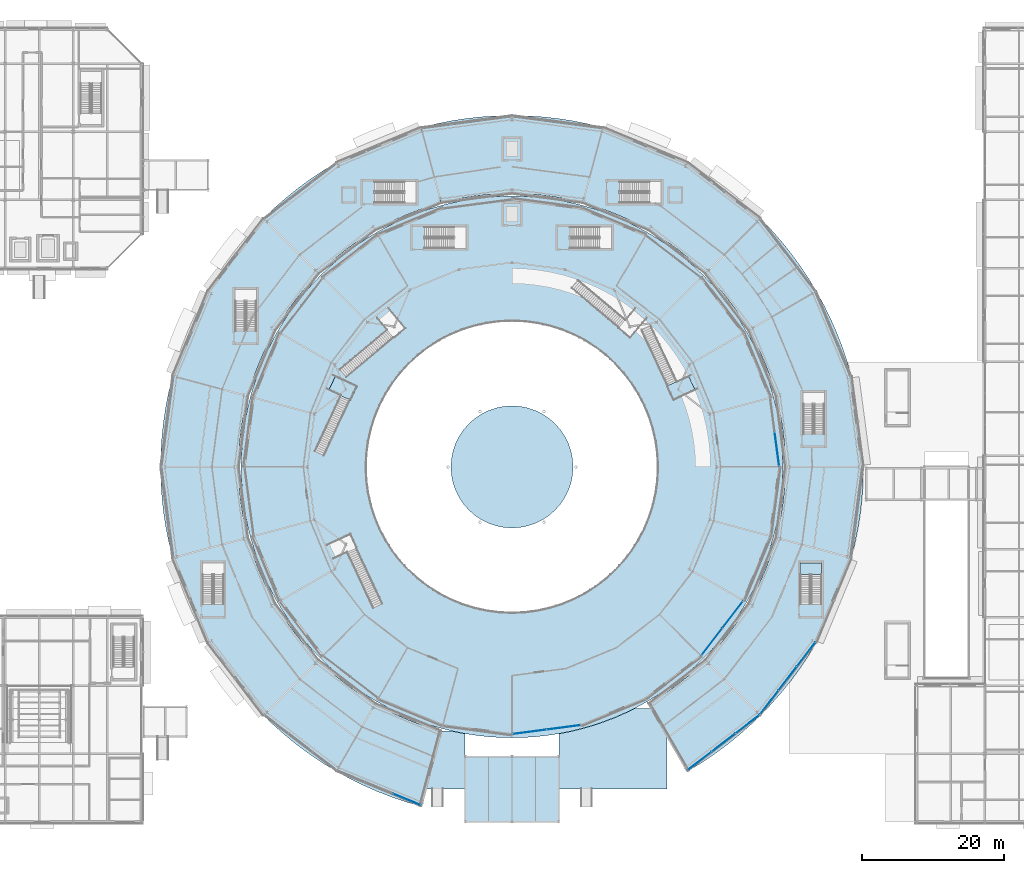
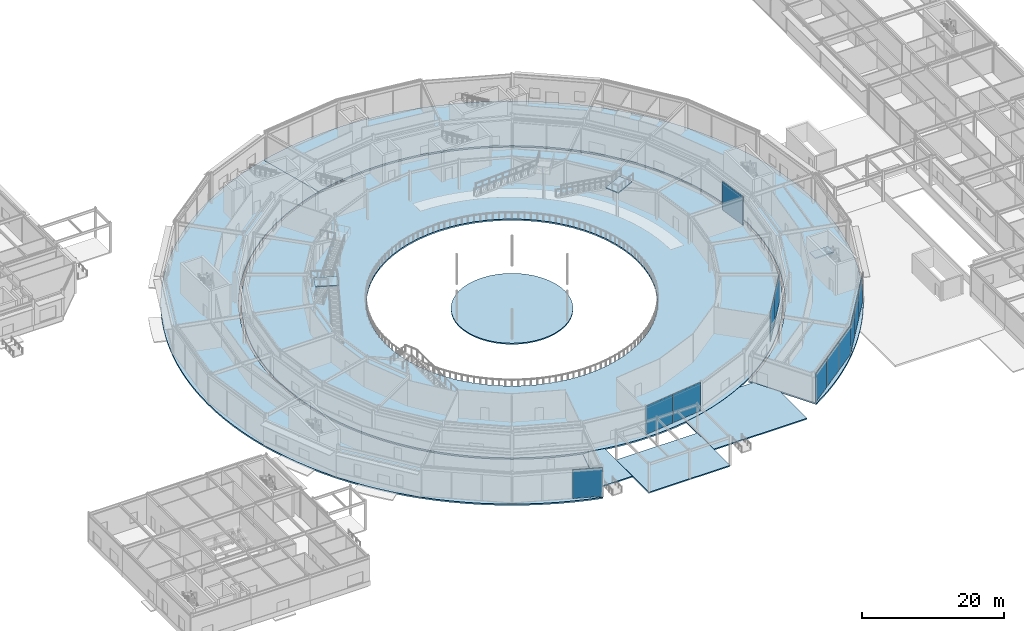
# One storey, part 112 of 168: 12 plates, 10 slabs, 9 elements without a shape of their own.
"""IFC4 building model written with IfcOpenShell, lengths in metres."""

from ifc_helpers import new_model, si_unit, direction, frame, origin, origin_2d, place, context, subcontext, project, spatial, polyline, rectangle, outline, extrude, material, layer, layer_set, type_object, element, aggregate, save


model = new_model("IFC4")

# Units and contexts
model_context = context("Model", 3, precision=1e-05, world=origin(), true_north=direction((0.0, 1.0)))
body_context = subcontext(model_context, "Body", "Model", "MODEL_VIEW")
ifc_project = project(units=[si_unit("LENGTHUNIT", "METRE"), si_unit("AREAUNIT", "SQUARE_METRE"), si_unit("VOLUMEUNIT", "CUBIC_METRE"), si_unit("PLANEANGLEUNIT", "RADIAN"), si_unit("MASSUNIT", "GRAM", prefix="KILO")], contexts=[model_context])

# Site, building, storey
site_placement = place(None, origin())
site = spatial("IfcSite", under=ifc_project, at=site_placement, CompositionType="ELEMENT")
building_placement = place(site_placement, origin())
building = spatial("IfcBuilding", under=site, at=building_placement, Name="Almandine Court Research Institute", CompositionType="ELEMENT")
storey_placement = place(building_placement, origin())
storey = spatial("IfcBuildingStorey", under=building, at=storey_placement, Name="L00", CompositionType="ELEMENT", Elevation=0.0)

# Curtain wall, plate
ifc_material_1 = material(Name="Unitised Curtain Wall Framing and Solar Glazing", Category="glass")
curtain_wall_type_1 = type_object("IfcCurtainWallType", Name="CW-CWG-18", PredefinedType="USERDEFINED", material=ifc_material_1)
curtain_wall_1_placement = place(storey_placement, origin())
curtain_wall_1 = element("IfcCurtainWall", 1, at=curtain_wall_1_placement, inside=storey, type_object=curtain_wall_type_1, Name="L00 Stacked-Ring Drum Outer Unitised Glazing 16", ObjectType="UNITISED GLAZING", PredefinedType="USERDEFINED")
ifc_material_2 = material(Name="Double-Glazed Low-E Argon Insulated Glass", Category="glass")
ifc_layer_1 = layer(ifc_material_2, 0.028076171875)
ifc_layer_set_1 = layer_set([ifc_layer_1], Name="Double-Glazed Low-E Argon Insulated Glass")
plate_type_1 = type_object("IfcPlateType", Name="CWPnl-GLZ-28", PredefinedType="CURTAIN_PANEL", material=ifc_layer_set_1)
plate_1_placement = place(storey_placement, frame((72.22412109375, 9.150146484375, 0.06005859375), z_axis=(0.0, 0.0, 1.0), x_axis=(-0.923888124321, 0.382662689242, 0.0)))
plate_1 = element("IfcPlate", 2, at=plate_1_placement, type_object=plate_type_1, Name="CWG-18 panel 1.1", PredefinedType="CURTAIN_PANEL", context=body_context, shape_type="SweptSolid", body=[
    extrude(rectangle(XDim=4.20263671875, YDim=0.028076171875, at=origin_2d()), origin(), (0.0, 0.0, 1.0), 4.949951171875),
])
aggregate(curtain_wall_1, [plate_1])

curtain_wall_type_2 = type_object("IfcCurtainWallType", Name="CW-CWG-23", PredefinedType="USERDEFINED", material=ifc_material_1)
curtain_wall_2_placement = place(storey_placement, origin())
curtain_wall_2 = element("IfcCurtainWall", 3, at=curtain_wall_2_placement, inside=storey, type_object=curtain_wall_type_2, Name="L00 Interaction Atrium Perimeter Curtain Wall 00", ObjectType="UNITISED GLAZING", PredefinedType="USERDEFINED")
plate_2_placement = place(storey_placement, frame((124.32763671875, 58.453125, 0.06005859375), z_axis=(0.0, 0.0, 1.0), x_axis=(0.130536164028, -0.991443548509, 0.0)))
plate_2 = element("IfcPlate", 4, at=plate_2_placement, type_object=plate_type_1, Name="CWG-23 panel 2.1", PredefinedType="CURTAIN_PANEL", context=body_context, shape_type="SweptSolid", body=[
    extrude(rectangle(XDim=4.820556640625, YDim=0.028076171875, at=origin_2d()), origin(), (0.0, 0.0, 1.0), 4.949951171875),
])
aggregate(curtain_wall_2, [plate_2])

# Curtain wall, plates
curtain_wall_3_placement = place(storey_placement, origin())
curtain_wall_3 = element("IfcCurtainWall", 5, at=curtain_wall_3_placement, inside=storey, type_object=curtain_wall_type_2, Name="L00 Interaction Atrium Perimeter Curtain Wall 18", ObjectType="UNITISED GLAZING", PredefinedType="USERDEFINED")
plate_3_placement = place(storey_placement, frame((94.2919921875, 19.3095703125, 0.06005859375), z_axis=(0.0, 0.0, 1.0), x_axis=(-0.991443548509, -0.130536164028, 0.0)))
plate_3 = element("IfcPlate", 6, at=plate_3_placement, type_object=plate_type_1, Name="CWG-23 panel 1.1", PredefinedType="CURTAIN_PANEL", context=body_context, shape_type="SweptSolid", body=[
    extrude(rectangle(XDim=4.820556640625, YDim=0.028076171875, at=origin_2d()), origin(), (0.0, 0.0, 1.0), 4.949951171875),
])
plate_4_placement = place(storey_placement, frame((89.453125, 18.67236328125, 0.06005859375), z_axis=(0.0, 0.0, 1.0), x_axis=(-0.991443548509, -0.130536164028, 0.0)))
plate_4 = element("IfcPlate", 7, at=plate_4_placement, type_object=plate_type_1, Name="CWG-23 panel 2.1", PredefinedType="CURTAIN_PANEL", context=body_context, shape_type="SweptSolid", body=[
    extrude(rectangle(XDim=4.820556640625, YDim=0.028076171875, at=origin_2d()), origin(), (0.0, 0.0, 1.0), 4.949951171875),
])
aggregate(curtain_wall_3, [plate_3, plate_4])

curtain_wall_4_placement = place(storey_placement, origin())
curtain_wall_4 = element("IfcCurtainWall", 8, at=curtain_wall_4_placement, inside=storey, type_object=curtain_wall_type_2, Name="L00 Interaction Atrium Perimeter Curtain Wall 21", ObjectType="UNITISED GLAZING", PredefinedType="USERDEFINED")
plate_5_placement = place(storey_placement, frame((118.10009765625, 35.212158203125, 0.06005859375), z_axis=(0.0, 0.0, 1.0), x_axis=(-0.608760667029, -0.793353924979, 0.0)))
plate_5 = element("IfcPlate", 9, at=plate_5_placement, type_object=plate_type_1, Name="CWG-23 panel 1.1", PredefinedType="CURTAIN_PANEL", context=body_context, shape_type="SweptSolid", body=[
    extrude(rectangle(XDim=4.82080078125, YDim=0.028076171875, at=origin_2d()), origin(), (0.0, 0.0, 1.0), 4.949951171875),
])
plate_6_placement = place(storey_placement, frame((115.12890625, 31.33984375, 0.06005859375), z_axis=(0.0, 0.0, 1.0), x_axis=(-0.608760667029, -0.793353924979, 0.0)))
plate_6 = element("IfcPlate", 10, at=plate_6_placement, type_object=plate_type_1, Name="CWG-23 panel 2.1", PredefinedType="CURTAIN_PANEL", context=body_context, shape_type="SweptSolid", body=[
    extrude(rectangle(XDim=4.82080078125, YDim=0.028076171875, at=origin_2d()), origin(), (0.0, 0.0, 1.0), 4.949951171875),
])
aggregate(curtain_wall_4, [plate_5, plate_6])

curtain_wall_type_3 = type_object("IfcCurtainWallType", Name="CW-CWJ-17", PredefinedType="USERDEFINED", material=ifc_material_1)
curtain_wall_5_placement = place(storey_placement, origin())
curtain_wall_5 = element("IfcCurtainWall", 11, at=curtain_wall_5_placement, inside=storey, type_object=curtain_wall_type_3, Name="L00 Stacked-Ring Drum Outer Solar Jali Screen 20", ObjectType="SOLAR JALI SCREEN", PredefinedType="USERDEFINED")
ifc_material_3 = material(Name="Perforated Ochre Terracotta Jali Solar Cassette", Category="masonry")
ifc_layer_2 = layer(ifc_material_3, 0.035888671875)
ifc_layer_set_2 = layer_set([ifc_layer_2], Name="Perforated Ochre Terracotta Jali Solar Cassette")
plate_type_2 = type_object("IfcPlateType", Name="CWPnl-JALI-36", PredefinedType="CURTAIN_PANEL", material=ifc_layer_set_2)
plate_7_placement = place(storey_placement, frame((120.184326171875, 19.777587890625, 0.06494140625), z_axis=(0.0, 0.0, 1.0), x_axis=(-0.793382586046, -0.608723313303, 0.0)))
plate_7 = element("IfcPlate", 12, at=plate_7_placement, type_object=plate_type_2, Name="CWJ-17 panel 1.1", PredefinedType="CURTAIN_PANEL", context=body_context, shape_type="SweptSolid", body=[
    extrude(rectangle(XDim=4.195068359375, YDim=0.035888671875, at=origin_2d()), origin(), (0.0, 0.0, 1.0), 4.93994140625),
])
plate_8_placement = place(storey_placement, frame((116.79150390625, 17.174560546875, 0.06494140625), z_axis=(0.0, 0.0, 1.0), x_axis=(-0.793382586046, -0.608723313303, 0.0)))
plate_8 = element("IfcPlate", 13, at=plate_8_placement, type_object=plate_type_2, Name="CWJ-17 panel 2.1", PredefinedType="CURTAIN_PANEL", context=body_context, shape_type="SweptSolid", body=[
    extrude(rectangle(XDim=4.2275390625, YDim=0.035888671875, at=origin_2d()), origin(), (0.0, 0.0, 1.0), 4.93994140625),
])
plate_9_placement = place(storey_placement, frame((113.398681640625, 14.5712890625, 0.06494140625), z_axis=(0.0, 0.0, 1.0), x_axis=(-0.793382586046, -0.608723313303, 0.0)))
plate_9 = element("IfcPlate", 14, at=plate_9_placement, type_object=plate_type_2, Name="CWJ-17 panel 3.1", PredefinedType="CURTAIN_PANEL", context=body_context, shape_type="SweptSolid", body=[
    extrude(rectangle(XDim=4.195068359375, YDim=0.035888671875, at=origin_2d()), origin(), (0.0, 0.0, 1.0), 4.93994140625),
])
aggregate(curtain_wall_5, [plate_7, plate_8, plate_9])

curtain_wall_6_placement = place(storey_placement, origin())
curtain_wall_6 = element("IfcCurtainWall", 15, at=curtain_wall_6_placement, inside=storey, type_object=curtain_wall_type_3, Name="L00 Stacked-Ring Drum Outer Solar Jali Screen 21", ObjectType="SOLAR JALI SCREEN", PredefinedType="USERDEFINED")
plate_10_placement = place(storey_placement, frame((128.4287109375, 29.601318359375, 0.06494140625), z_axis=(0.0, 0.0, 1.0), x_axis=(-0.608723313303, -0.793382586046, 0.0)))
plate_10 = element("IfcPlate", 16, at=plate_10_placement, type_object=plate_type_2, Name="CWJ-17 panel 1.1", PredefinedType="CURTAIN_PANEL", context=body_context, shape_type="SweptSolid", body=[
    extrude(rectangle(XDim=4.195068359375, YDim=0.035888671875, at=origin_2d()), origin(), (0.0, 0.0, 1.0), 4.93994140625),
])
plate_11_placement = place(storey_placement, frame((125.825439453125, 26.20849609375, 0.06494140625), z_axis=(0.0, 0.0, 1.0), x_axis=(-0.608723313303, -0.793382586046, 0.0)))
plate_11 = element("IfcPlate", 17, at=plate_11_placement, type_object=plate_type_2, Name="CWJ-17 panel 2.1", PredefinedType="CURTAIN_PANEL", context=body_context, shape_type="SweptSolid", body=[
    extrude(rectangle(XDim=4.2275390625, YDim=0.035888671875, at=origin_2d()), origin(), (0.0, 0.0, 1.0), 4.93994140625),
])
plate_12_placement = place(storey_placement, frame((123.222412109375, 22.815673828125, 0.06494140625), z_axis=(0.0, 0.0, 1.0), x_axis=(-0.608723313303, -0.793382586046, 0.0)))
plate_12 = element("IfcPlate", 18, at=plate_12_placement, type_object=plate_type_2, Name="CWJ-17 panel 3.1", PredefinedType="CURTAIN_PANEL", context=body_context, shape_type="SweptSolid", body=[
    extrude(rectangle(XDim=4.195068359375, YDim=0.035888671875, at=origin_2d()), origin(), (0.0, 0.0, 1.0), 4.93994140625),
])
aggregate(curtain_wall_6, [plate_10, plate_11, plate_12])

# Slabs
ifc_material_4 = material(Name="Concrete C35/45", Category="concrete")
ifc_layer_3 = layer(ifc_material_4, 0.25)
ifc_layer_set_3 = layer_set([ifc_layer_3], Name="Concrete C35/45")
slab_type_1 = type_object("IfcSlabType", Name="Slab-BS-250", PredefinedType="BASESLAB", material=ifc_layer_set_3)
slab_1_placement = place(storey_placement, frame((0.0, 0.0, -0.25)))
element("IfcSlab", 19, at=slab_1_placement, inside=storey, type_object=slab_type_1, Name="L00 Volume 5 Stacked-Ring Drum E Laboratory Slab", PredefinedType="BASESLAB", context=body_context, shape_type="SweptSolid", body=[
    extrude(outline(polyline([(111.75, 13.132080078125), (113.595947265625, 14.251953125), (115.39208984375, 15.451904296875), (117.134033203125, 16.72900390625), (118.818115234375, 18.0810546875), (120.44189453125, 19.5048828125), (122.001953125, 20.998046875), (123.4951171875, 22.55810546875), (124.9189453125, 24.181884765625), (126.27099609375, 25.865966796875), (127.548095703125, 27.60791015625), (128.748046875, 29.404052734375), (129.867919921875, 31.25), (130.906982421875, 33.14306640625), (131.862060546875, 35.080078125), (132.73193359375, 37.056884765625), (133.514892578125, 39.070068359375), (134.208984375, 41.114990234375), (134.81298828125, 43.18798828125), (135.326904296875, 45.285888671875), (135.748046875, 47.404052734375), (136.076904296875, 49.5390625), (136.31201171875, 51.68603515625), (136.452880859375, 53.841064453125), (136.5, 56.0), (136.452880859375, 58.158935546875), (136.31201171875, 60.31396484375), (136.076904296875, 62.4609375), (135.748046875, 64.595947265625), (135.326904296875, 66.714111328125), (134.81298828125, 68.81201171875), (134.208984375, 70.885009765625), (133.514892578125, 72.929931640625), (132.73193359375, 74.943115234375), (131.862060546875, 76.919921875), (130.906982421875, 78.85693359375), (129.867919921875, 80.75), (128.748046875, 82.595947265625), (127.548095703125, 84.39208984375), (126.27099609375, 86.134033203125), (124.9189453125, 87.818115234375), (123.4951171875, 89.44189453125), (122.001953125, 91.001953125), (120.44189453125, 92.4951171875), (118.818115234375, 93.9189453125), (117.134033203125, 95.27099609375), (115.39208984375, 96.548095703125), (113.595947265625, 97.748046875), (111.75, 98.867919921875), (109.85693359375, 99.906982421875), (107.919921875, 100.862060546875), (105.943115234375, 101.73193359375), (103.929931640625, 102.514892578125), (101.885009765625, 103.208984375), (99.81201171875, 103.81298828125), (97.714111328125, 104.326904296875), (95.595947265625, 104.748046875), (93.4609375, 105.076904296875), (91.31396484375, 105.31201171875), (89.158935546875, 105.452880859375), (87.0, 105.5), (84.841064453125, 105.452880859375), (82.68603515625, 105.31201171875), (80.5390625, 105.076904296875), (78.404052734375, 104.748046875), (76.285888671875, 104.326904296875), (74.18798828125, 103.81298828125), (77.034912109375, 93.18798828125), (78.6669921875, 93.5869140625), (80.31494140625, 93.9150390625), (81.97509765625, 94.1708984375), (83.64501953125, 94.35302734375), (85.321044921875, 94.462890625), (87.0, 94.5), (88.678955078125, 94.462890625), (90.35498046875, 94.35302734375), (92.02490234375, 94.1708984375), (93.68505859375, 93.9150390625), (95.3330078125, 93.5869140625), (96.965087890625, 93.18798828125), (98.576904296875, 92.718017578125), (100.16796875, 92.177978515625), (101.73291015625, 91.569091796875), (103.27099609375, 90.89306640625), (104.777099609375, 90.14990234375), (106.25, 89.342041015625), (107.68603515625, 88.470947265625), (109.0830078125, 87.537109375), (110.43701171875, 86.5439453125), (111.7470703125, 85.492919921875), (113.010009765625, 84.385009765625), (114.22412109375, 83.22412109375), (115.385009765625, 82.010009765625), (116.492919921875, 80.7470703125), (117.5439453125, 79.43701171875), (118.537109375, 78.0830078125), (119.470947265625, 76.68603515625), (120.342041015625, 75.25), (121.14990234375, 73.777099609375), (121.89306640625, 72.27099609375), (122.569091796875, 70.73291015625), (123.177978515625, 69.16796875), (123.718017578125, 67.576904296875), (124.18798828125, 65.965087890625), (124.5869140625, 64.3330078125), (124.9150390625, 62.68505859375), (125.1708984375, 61.02490234375), (125.35302734375, 59.35498046875), (125.462890625, 57.678955078125), (125.5, 56.0), (125.462890625, 54.321044921875), (125.35302734375, 52.64501953125), (125.1708984375, 50.97509765625), (124.9150390625, 49.31494140625), (124.5869140625, 47.6669921875), (124.18798828125, 46.034912109375), (123.718017578125, 44.423095703125), (123.177978515625, 42.83203125), (122.569091796875, 41.26708984375), (121.89306640625, 39.72900390625), (121.14990234375, 38.222900390625), (120.342041015625, 36.75), (119.470947265625, 35.31396484375), (118.537109375, 33.9169921875), (117.5439453125, 32.56298828125), (116.492919921875, 31.2529296875), (115.385009765625, 29.989990234375), (114.22412109375, 28.77587890625), (113.010009765625, 27.614990234375), (111.7470703125, 26.507080078125), (110.43701171875, 25.4560546875), (109.0830078125, 24.462890625), (107.68603515625, 23.529052734375), (106.25, 22.657958984375), (111.75, 13.132080078125)])), origin(), (0.0, 0.0, 1.0), 0.25),
])
slab_2_placement = place(storey_placement, frame((0.0, 0.0, -0.25)))
element("IfcSlab", 20, at=slab_2_placement, inside=storey, type_object=slab_type_1, Name="L00 Volume 5 Stacked-Ring Drum W Laboratory Slab", PredefinedType="BASESLAB", context=body_context, shape_type="SweptSolid", body=[
    extrude(outline(polyline([(74.18798828125, 103.81298828125), (72.114990234375, 103.208984375), (70.070068359375, 102.514892578125), (68.056884765625, 101.73193359375), (66.080078125, 100.862060546875), (64.14306640625, 99.906982421875), (62.25, 98.867919921875), (60.404052734375, 97.748046875), (58.60791015625, 96.548095703125), (56.865966796875, 95.27099609375), (55.181884765625, 93.9189453125), (53.55810546875, 92.4951171875), (51.998046875, 91.001953125), (50.5048828125, 89.44189453125), (49.0810546875, 87.818115234375), (47.72900390625, 86.134033203125), (46.451904296875, 84.39208984375), (45.251953125, 82.595947265625), (44.132080078125, 80.75), (43.093017578125, 78.85693359375), (42.137939453125, 76.919921875), (41.26806640625, 74.943115234375), (40.485107421875, 72.929931640625), (39.791015625, 70.885009765625), (39.18701171875, 68.81201171875), (38.673095703125, 66.714111328125), (38.251953125, 64.595947265625), (37.923095703125, 62.4609375), (37.68798828125, 60.31396484375), (37.547119140625, 58.158935546875), (37.5, 56.0), (37.547119140625, 53.841064453125), (37.68798828125, 51.68603515625), (37.923095703125, 49.5390625), (38.251953125, 47.404052734375), (38.673095703125, 45.285888671875), (39.18701171875, 43.18798828125), (39.791015625, 41.114990234375), (40.485107421875, 39.070068359375), (41.26806640625, 37.056884765625), (42.137939453125, 35.080078125), (43.093017578125, 33.14306640625), (44.132080078125, 31.25), (45.251953125, 29.404052734375), (46.451904296875, 27.60791015625), (47.72900390625, 25.865966796875), (49.0810546875, 24.181884765625), (50.5048828125, 22.55810546875), (51.998046875, 20.998046875), (53.55810546875, 19.5048828125), (55.181884765625, 18.0810546875), (56.865966796875, 16.72900390625), (58.60791015625, 15.451904296875), (60.404052734375, 14.251953125), (62.25, 13.132080078125), (64.14306640625, 12.093017578125), (66.080078125, 11.137939453125), (68.056884765625, 10.26806640625), (70.070068359375, 9.485107421875), (72.114990234375, 8.791015625), (74.18798828125, 8.18701171875), (77.034912109375, 18.81201171875), (75.423095703125, 19.281982421875), (73.83203125, 19.822021484375), (72.26708984375, 20.430908203125), (70.72900390625, 21.10693359375), (69.222900390625, 21.85009765625), (67.75, 22.657958984375), (66.31396484375, 23.529052734375), (64.9169921875, 24.462890625), (63.56298828125, 25.4560546875), (62.2529296875, 26.507080078125), (60.989990234375, 27.614990234375), (59.77587890625, 28.77587890625), (58.614990234375, 29.989990234375), (57.507080078125, 31.2529296875), (56.4560546875, 32.56298828125), (55.462890625, 33.9169921875), (54.529052734375, 35.31396484375), (53.657958984375, 36.75), (52.85009765625, 38.222900390625), (52.10693359375, 39.72900390625), (51.430908203125, 41.26708984375), (50.822021484375, 42.83203125), (50.281982421875, 44.423095703125), (49.81201171875, 46.034912109375), (49.4130859375, 47.6669921875), (49.0849609375, 49.31494140625), (48.8291015625, 50.97509765625), (48.64697265625, 52.64501953125), (48.537109375, 54.321044921875), (48.5, 56.0), (48.537109375, 57.678955078125), (48.64697265625, 59.35498046875), (48.8291015625, 61.02490234375), (49.0849609375, 62.68505859375), (49.4130859375, 64.3330078125), (49.81201171875, 65.965087890625), (50.281982421875, 67.576904296875), (50.822021484375, 69.16796875), (51.430908203125, 70.73291015625), (52.10693359375, 72.27099609375), (52.85009765625, 73.777099609375), (53.657958984375, 75.25), (54.529052734375, 76.68603515625), (55.462890625, 78.0830078125), (56.4560546875, 79.43701171875), (57.507080078125, 80.7470703125), (58.614990234375, 82.010009765625), (59.77587890625, 83.22412109375), (60.989990234375, 84.385009765625), (62.2529296875, 85.492919921875), (63.56298828125, 86.5439453125), (64.9169921875, 87.537109375), (66.31396484375, 88.470947265625), (67.75, 89.342041015625), (69.222900390625, 90.14990234375), (70.72900390625, 90.89306640625), (72.26708984375, 91.569091796875), (73.83203125, 92.177978515625), (75.423095703125, 92.718017578125), (77.034912109375, 93.18798828125), (74.18798828125, 103.81298828125)])), origin(), (0.0, 0.0, 1.0), 0.25),
])
slab_3_placement = place(storey_placement, frame((0.0, 0.0, -0.25)))
element("IfcSlab", 21, at=slab_3_placement, inside=storey, type_object=slab_type_1, Name="L00 Interaction Atrium Concourse Slab", PredefinedType="BASESLAB", context=body_context, shape_type="SweptSolid", body=[
    extrude(outline(polyline([(125.14990234375, 56.0), (125.114013671875, 57.6640625), (125.0048828125, 59.324951171875), (124.823974609375, 60.97998046875), (124.570068359375, 62.625), (124.24609375, 64.257080078125), (123.85009765625, 65.8740234375), (123.384033203125, 67.471923828125), (122.84912109375, 69.048095703125), (122.24609375, 70.59912109375), (121.575927734375, 72.123046875), (120.839111328125, 73.615966796875), (120.0390625, 75.074951171875), (119.175048828125, 76.498046875), (118.2509765625, 77.882080078125), (117.26611328125, 79.22412109375), (116.22509765625, 80.52197265625), (115.126953125, 81.77392578125), (113.97607421875, 82.97607421875), (112.77392578125, 84.126953125), (111.52197265625, 85.22509765625), (110.22412109375, 86.26611328125), (108.882080078125, 87.2509765625), (107.498046875, 88.175048828125), (106.074951171875, 89.0390625), (104.615966796875, 89.839111328125), (103.123046875, 90.575927734375), (101.59912109375, 91.24609375), (100.048095703125, 91.84912109375), (98.471923828125, 92.384033203125), (96.8740234375, 92.85009765625), (95.257080078125, 93.24609375), (93.625, 93.570068359375), (91.97998046875, 93.823974609375), (90.324951171875, 94.0048828125), (88.6640625, 94.114013671875), (87.0, 94.14990234375), (85.3359375, 94.114013671875), (83.675048828125, 94.0048828125), (82.02001953125, 93.823974609375), (80.375, 93.570068359375), (78.742919921875, 93.24609375), (77.1259765625, 92.85009765625), (75.528076171875, 92.384033203125), (73.951904296875, 91.84912109375), (72.40087890625, 91.24609375), (70.876953125, 90.575927734375), (69.384033203125, 89.839111328125), (67.925048828125, 89.0390625), (66.501953125, 88.175048828125), (65.117919921875, 87.2509765625), (63.77587890625, 86.26611328125), (62.47802734375, 85.22509765625), (61.22607421875, 84.126953125), (60.02392578125, 82.97607421875), (58.873046875, 81.77392578125), (57.77490234375, 80.52197265625), (56.73388671875, 79.22412109375), (55.7490234375, 77.882080078125), (54.824951171875, 76.498046875), (53.9609375, 75.074951171875), (53.160888671875, 73.615966796875), (52.424072265625, 72.123046875), (51.75390625, 70.59912109375), (51.15087890625, 69.048095703125), (50.615966796875, 67.471923828125), (50.14990234375, 65.8740234375), (49.75390625, 64.257080078125), (49.429931640625, 62.625), (49.176025390625, 60.97998046875), (48.9951171875, 59.324951171875), (48.885986328125, 57.6640625), (48.85009765625, 56.0), (48.885986328125, 54.3359375), (48.9951171875, 52.675048828125), (49.176025390625, 51.02001953125), (49.429931640625, 49.375), (49.75390625, 47.742919921875), (50.14990234375, 46.1259765625), (50.615966796875, 44.528076171875), (51.15087890625, 42.951904296875), (51.75390625, 41.40087890625), (52.424072265625, 39.876953125), (53.160888671875, 38.384033203125), (53.9609375, 36.925048828125), (54.824951171875, 35.501953125), (55.7490234375, 34.117919921875), (56.73388671875, 32.77587890625), (57.77490234375, 31.47802734375), (58.873046875, 30.22607421875), (60.02392578125, 29.02392578125), (61.22607421875, 27.873046875), (62.47802734375, 26.77490234375), (63.77587890625, 25.73388671875), (65.117919921875, 24.7490234375), (66.501953125, 23.824951171875), (67.925048828125, 22.9609375), (69.384033203125, 22.160888671875), (70.876953125, 21.424072265625), (72.40087890625, 20.75390625), (73.951904296875, 20.15087890625), (75.528076171875, 19.615966796875), (77.1259765625, 19.14990234375), (78.742919921875, 18.75390625), (80.375, 18.429931640625), (82.02001953125, 18.176025390625), (83.675048828125, 17.9951171875), (85.3359375, 17.885986328125), (87.0, 17.85009765625), (88.6640625, 17.885986328125), (90.324951171875, 17.9951171875), (91.97998046875, 18.176025390625), (93.625, 18.429931640625), (95.257080078125, 18.75390625), (96.8740234375, 19.14990234375), (98.471923828125, 19.615966796875), (100.048095703125, 20.15087890625), (101.59912109375, 20.75390625), (103.123046875, 21.424072265625), (104.615966796875, 22.160888671875), (106.074951171875, 22.9609375), (107.498046875, 23.824951171875), (108.882080078125, 24.7490234375), (110.22412109375, 25.73388671875), (111.52197265625, 26.77490234375), (112.77392578125, 27.873046875), (113.97607421875, 29.02392578125), (115.126953125, 30.22607421875), (116.22509765625, 31.47802734375), (117.26611328125, 32.77587890625), (118.2509765625, 34.117919921875), (119.175048828125, 35.501953125), (120.0390625, 36.925048828125), (120.839111328125, 38.384033203125), (121.575927734375, 39.876953125), (122.24609375, 41.40087890625), (122.84912109375, 42.951904296875), (123.384033203125, 44.528076171875), (123.85009765625, 46.1259765625), (124.24609375, 47.742919921875), (124.570068359375, 49.375), (124.823974609375, 51.02001953125), (125.0048828125, 52.675048828125), (125.114013671875, 54.3359375), (125.14990234375, 56.0)]), holes=[polyline([(107.422119140625, 54.212890625), (107.18896484375, 52.43994140625), (106.801025390625, 50.694091796875), (106.263916015625, 48.989013671875), (105.5791015625, 47.3359375), (104.75390625, 45.75), (103.79296875, 44.241943359375), (102.7041015625, 42.822998046875), (101.49609375, 41.50390625), (100.177001953125, 40.2958984375), (98.758056640625, 39.20703125), (97.25, 38.24609375), (95.6640625, 37.4208984375), (94.010986328125, 36.736083984375), (92.305908203125, 36.198974609375), (90.56005859375, 35.81103515625), (88.787109375, 35.577880859375), (87.0, 35.5), (85.212890625, 35.577880859375), (83.43994140625, 35.81103515625), (81.694091796875, 36.198974609375), (79.989013671875, 36.736083984375), (78.3359375, 37.4208984375), (76.75, 38.24609375), (75.241943359375, 39.20703125), (73.822998046875, 40.2958984375), (72.50390625, 41.50390625), (71.2958984375, 42.822998046875), (70.20703125, 44.241943359375), (69.24609375, 45.75), (68.4208984375, 47.3359375), (67.736083984375, 48.989013671875), (67.198974609375, 50.694091796875), (66.81103515625, 52.43994140625), (66.577880859375, 54.212890625), (66.5, 56.0), (66.577880859375, 57.787109375), (66.81103515625, 59.56005859375), (67.198974609375, 61.305908203125), (67.736083984375, 63.010986328125), (68.4208984375, 64.6640625), (69.24609375, 66.25), (70.20703125, 67.758056640625), (71.2958984375, 69.177001953125), (72.50390625, 70.49609375), (73.822998046875, 71.7041015625), (75.241943359375, 72.79296875), (76.75, 73.75390625), (78.3359375, 74.5791015625), (79.989013671875, 75.263916015625), (81.694091796875, 75.801025390625), (83.43994140625, 76.18896484375), (85.212890625, 76.422119140625), (87.0, 76.5), (88.787109375, 76.422119140625), (90.56005859375, 76.18896484375), (92.305908203125, 75.801025390625), (94.010986328125, 75.263916015625), (95.6640625, 74.5791015625), (97.25, 73.75390625), (98.758056640625, 72.79296875), (100.177001953125, 71.7041015625), (101.49609375, 70.49609375), (102.7041015625, 69.177001953125), (103.79296875, 67.758056640625), (104.75390625, 66.25), (105.5791015625, 64.6640625), (106.263916015625, 63.010986328125), (106.801025390625, 61.305908203125), (107.18896484375, 59.56005859375), (107.422119140625, 57.787109375), (107.5, 56.0), (107.422119140625, 54.212890625)])]), origin(), (0.0, 0.0, 1.0), 0.25),
])
ifc_layer_4 = layer(ifc_material_4, 0.199951171875)
ifc_layer_set_4 = layer_set([ifc_layer_4], Name="Concrete C35/45")
slab_type_2 = type_object("IfcSlabType", Name="Slab-BS-EXT-200", PredefinedType="BASESLAB", material=ifc_layer_set_4)
slab_4_placement = place(storey_placement, frame((0.0, 0.0, -1.199951171875)))
element("IfcSlab", 22, at=slab_4_placement, inside=storey, type_object=slab_type_2, Name="L00 Central Charbagh Hauz Rainwater Detention Basin Slab", PredefinedType="BASESLAB", context=body_context, shape_type="SweptSolid", body=[
    extrude(outline(polyline([(95.60009765625, 56.0), (95.52587890625, 57.123046875), (95.306884765625, 58.22607421875), (94.945068359375, 59.291015625), (94.447998046875, 60.300048828125), (93.822998046875, 61.235107421875), (93.0810546875, 62.0810546875), (92.235107421875, 62.822998046875), (91.300048828125, 63.447998046875), (90.291015625, 63.945068359375), (89.22607421875, 64.306884765625), (88.123046875, 64.52587890625), (87.0, 64.60009765625), (85.876953125, 64.52587890625), (84.77392578125, 64.306884765625), (83.708984375, 63.945068359375), (82.699951171875, 63.447998046875), (81.764892578125, 62.822998046875), (80.9189453125, 62.0810546875), (80.177001953125, 61.235107421875), (79.552001953125, 60.300048828125), (79.054931640625, 59.291015625), (78.693115234375, 58.22607421875), (78.47412109375, 57.123046875), (78.39990234375, 56.0), (78.47412109375, 54.876953125), (78.693115234375, 53.77392578125), (79.054931640625, 52.708984375), (79.552001953125, 51.699951171875), (80.177001953125, 50.764892578125), (80.9189453125, 49.9189453125), (81.764892578125, 49.177001953125), (82.699951171875, 48.552001953125), (83.708984375, 48.054931640625), (84.77392578125, 47.693115234375), (85.876953125, 47.47412109375), (87.0, 47.39990234375), (88.123046875, 47.47412109375), (89.22607421875, 47.693115234375), (90.291015625, 48.054931640625), (91.300048828125, 48.552001953125), (92.235107421875, 49.177001953125), (93.0810546875, 49.9189453125), (93.822998046875, 50.764892578125), (94.447998046875, 51.699951171875), (94.945068359375, 52.708984375), (95.306884765625, 53.77392578125), (95.52587890625, 54.876953125), (95.60009765625, 56.0)])), origin(), (0.0, 0.0, 1.0), 0.199951171875),
])
slab_5_placement = place(storey_placement, frame((0.0, 0.0, -0.199951171875)))
element("IfcSlab", 23, at=slab_5_placement, inside=storey, type_object=slab_type_2, Name="L00 South Boulevard Pishtaq Entrance Portal Walkway Slab", PredefinedType="BASESLAB", context=body_context, shape_type="SweptSolid", body=[
    extrude(outline(polyline([(80.39990234375, 6.0), (93.60009765625, 6.0), (93.60009765625, 15.199951171875), (80.39990234375, 15.199951171875), (80.39990234375, 6.0)])), origin(), (0.0, 0.0, 1.0), 0.199951171875),
])
slab_6_placement = place(storey_placement, frame((0.0, 0.0, -0.199951171875)))
element("IfcSlab", 24, at=slab_6_placement, inside=storey, type_object=slab_type_2, Name="L00 Boulevard and Courtyard Paved Exit Apron PAD-PSH-W", PredefinedType="BASESLAB", context=body_context, shape_type="SweptSolid", body=[
    extrude(outline(polyline([(78.739013671875, 18.739013671875), (80.389892578125, 18.4130859375), (80.39990234375, 18.403076171875), (80.39990234375, 15.22412109375), (80.385009765625, 15.199951171875), (80.384033203125, 10.60595703125), (80.373046875, 10.60009765625), (74.860107421875, 10.60107421875), (74.85400390625, 10.614990234375), (77.0458984375, 18.79296875), (77.056884765625, 18.800048828125), (78.490966796875, 18.800048828125), (78.739013671875, 18.739013671875)])), origin(), (0.0, 0.0, 1.0), 0.199951171875),
])
slab_7_placement = place(storey_placement, frame((0.0, 0.0, -0.199951171875)))
element("IfcSlab", 25, at=slab_7_placement, inside=storey, type_object=slab_type_2, Name="L00 Boulevard and Courtyard Paved Exit Apron PAD-PSH-E", PredefinedType="BASESLAB", context=body_context, shape_type="SweptSolid", body=[
    extrude(outline(polyline([(93.614990234375, 15.199951171875), (93.60009765625, 15.22412109375), (93.60009765625, 18.40087890625), (93.60693359375, 18.410888671875), (95.260986328125, 18.739013671875), (96.8779296875, 19.135986328125), (98.47705078125, 19.60205078125), (100.052978515625, 20.136962890625), (101.60400390625, 20.739990234375), (103.12890625, 21.409912109375), (104.322998046875, 22.0), (106.60888671875, 22.0), (108.800048828125, 18.2109375), (108.799072265625, 10.60888671875), (108.7880859375, 10.60009765625), (93.6240234375, 10.60107421875), (93.614990234375, 10.612060546875), (93.614990234375, 15.199951171875)])), origin(), (0.0, 0.0, 1.0), 0.199951171875),
])

# Stair, slab
stair_type_1 = type_object("IfcStairType", Name="Stair-Core-30R", PredefinedType="HALF_TURN_STAIR", material=ifc_material_4)
stair_1_placement = place(storey_placement, origin())
stair_1 = element("IfcStair", 26, at=stair_1_placement, inside=storey, type_object=stair_type_1, Name="L00 Drum Southeast Exit Stair", PredefinedType="HALF_TURN_STAIR")
ifc_layer_5 = layer(ifc_material_4, 0.179931640625)
ifc_layer_set_5 = layer_set([ifc_layer_5], Name="Concrete C35/45")
slab_type_3 = type_object("IfcSlabType", Name="Slab-Landing-180", PredefinedType="LANDING", material=ifc_layer_set_5)
slab_8_placement = place(storey_placement, frame((0.0, 0.0, 2.445068359375)))
slab_8 = element("IfcSlab", 27, at=slab_8_placement, type_object=slab_type_3, Name="ST-16 landing 1", PredefinedType="LANDING", context=body_context, shape_type="SweptSolid", body=[
    extrude(outline(polyline([(130.60009765625, 40.85009765625), (130.60009765625, 42.5), (127.60009765625, 42.5), (127.60009765625, 40.85009765625), (130.60009765625, 40.85009765625)])), origin(), (0.0, 0.0, 1.0), 0.179931640625),
])
aggregate(stair_1, [slab_8])

ifc_material_5 = material(Name="Steel ASTM A500 Grade C", Category="steel")
stair_type_2 = type_object("IfcStairType", Name="Stair-Feat-30R", PredefinedType="STRAIGHT_RUN_STAIR", material=ifc_material_5)
stair_2_placement = place(storey_placement, origin())
stair_2 = element("IfcStair", 28, at=stair_2_placement, inside=storey, type_object=stair_type_2, Name="L00 Interaction Atrium Feature Stair ST-AT-01", PredefinedType="STRAIGHT_RUN_STAIR")
slab_9_placement = place(storey_placement, frame((0.0, 0.0, 5.070068359375)))
slab_9 = element("IfcSlab", 29, at=slab_9_placement, type_object=slab_type_3, Name="ST-AT-01 landing 1", PredefinedType="LANDING", context=body_context, shape_type="SweptSolid", body=[
    extrude(outline(polyline([(108.784912109375, 67.3720703125), (111.865966796875, 68.80908203125), (112.7958984375, 66.81494140625), (109.715087890625, 65.3779296875), (108.784912109375, 67.3720703125)])), origin(), (0.0, 0.0, 1.0), 0.179931640625),
])
aggregate(stair_2, [slab_9])

stair_3_placement = place(storey_placement, origin())
stair_3 = element("IfcStair", 30, at=stair_3_placement, inside=storey, type_object=stair_type_2, Name="L00 Interaction Atrium Feature Stair ST-AT-04", PredefinedType="STRAIGHT_RUN_STAIR")
slab_10_placement = place(storey_placement, frame((0.0, 0.0, 5.070068359375)))
slab_10 = element("IfcSlab", 31, at=slab_10_placement, type_object=slab_type_3, Name="ST-AT-04 landing 1", PredefinedType="LANDING", context=body_context, shape_type="SweptSolid", body=[
    extrude(outline(polyline([(64.284912109375, 65.3779296875), (61.2041015625, 66.81494140625), (62.134033203125, 68.80908203125), (65.215087890625, 67.3720703125), (64.284912109375, 65.3779296875)])), origin(), (0.0, 0.0, 1.0), 0.179931640625),
])
aggregate(stair_3, [slab_10])

save(model, "model.ifc")
